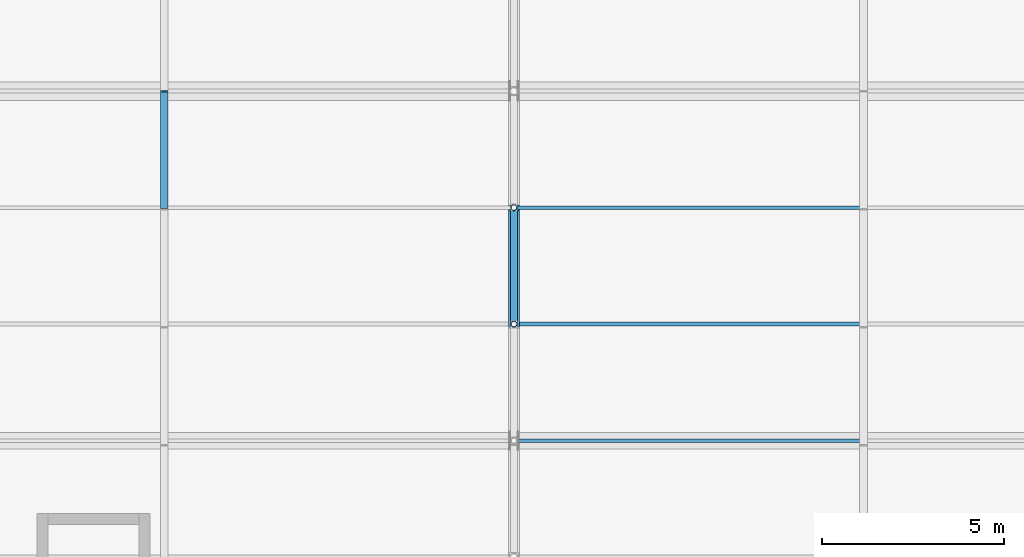
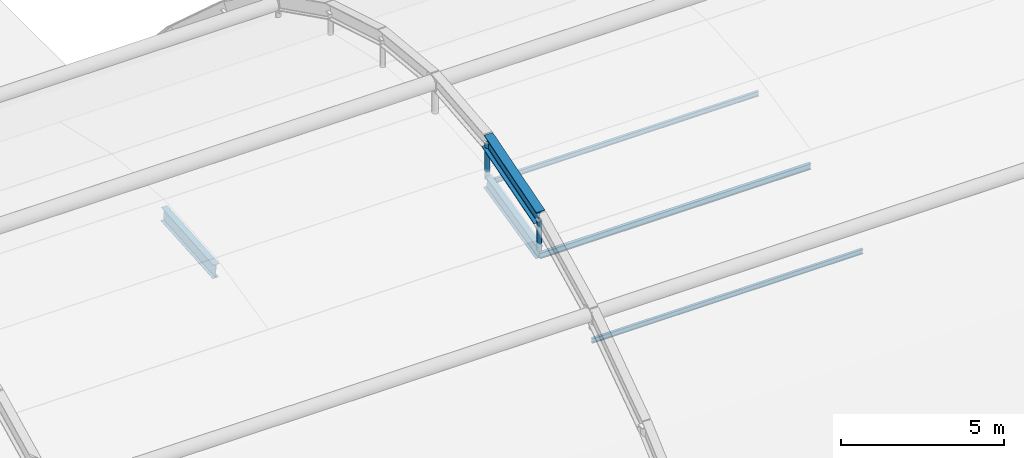
# One storey, part 61 of 126: 5 members, 3 beams.
"""IFC4 building model written with IfcOpenShell, lengths in metres."""

from ifc_helpers import new_model, si_unit, direction, frame, origin, origin_2d, place, context, subcontext, project, spatial, hollow_circle, i_section, extrude, material, material_profile, profile_set, type_object, element, save


model = new_model("IFC4")

# Units and contexts
model_context = context("Model", 3, precision=1e-05, world=origin(), true_north=direction((0.0, 1.0)))
body_context = subcontext(model_context, "Body", "Model", "MODEL_VIEW")
ifc_project = project(units=[si_unit("LENGTHUNIT", "METRE"), si_unit("AREAUNIT", "SQUARE_METRE"), si_unit("VOLUMEUNIT", "CUBIC_METRE"), si_unit("PLANEANGLEUNIT", "RADIAN"), si_unit("MASSUNIT", "GRAM", prefix="KILO")], contexts=[model_context])

# Site, building, storey
site_placement = place(None, origin())
site = spatial("IfcSite", under=ifc_project, at=site_placement, CompositionType="ELEMENT")
building_placement = place(site_placement, origin())
building = spatial("IfcBuilding", under=site, at=building_placement, Name="Coralgate Yard Interchange", CompositionType="ELEMENT")
storey_placement = place(building_placement, frame((0.0, 0.0, 10.5)))
storey = spatial("IfcBuildingStorey", under=building, at=storey_placement, Name="L02", CompositionType="ELEMENT", Elevation=10.5)

# Beams
ifc_material_1 = material(Name="Yellow-ochre weather-coated structural steel S355J2", Category="steel")
ifc_material_profile_1 = material_profile(ifc_material_1, i_section(OverallWidth=0.300048828125, OverallDepth=0.550048828125, WebThickness=0.014892578125, FlangeThickness=0.029052734375, FilletRadius=0.027099609375, at=origin_2d()), Name="HEB 550")
ifc_profile_set_1 = profile_set([ifc_material_profile_1], Name="Yellow-ochre weather-coated structural steel S355J2")
beam_type_1 = type_object("IfcBeamType", Name="BM-AR-2", PredefinedType="BEAM", material=ifc_profile_set_1)
beam_1_placement = place(storey_placement, frame((105.60009765625, 51.199951171875, 11.922119140625), z_axis=(0.0, 0.957948903279, 0.286938841403), x_axis=(-1.0, 0.0, 0.0)))
element("IfcBeam", 1, at=beam_1_placement, inside=storey, type_object=beam_type_1, Name="Yellow-ochre overarching steel arch AR-4 chord 6", PredefinedType="BEAM", context=body_context, shape_type="SweptSolid", body=[
    extrude(i_section(OverallWidth=0.300048828125, OverallDepth=0.550048828125, WebThickness=0.014892578125, FlangeThickness=0.029052734375, FilletRadius=0.027099609375, at=origin_2d()), origin(), (0.0, 0.0, 1.0), 3.34033203125),
])
ifc_material_2 = material(Name="Weather-coated structural steel S355J2", Category="steel")
ifc_material_profile_2 = material_profile(ifc_material_2, i_section(OverallWidth=0.209228515625, OverallDepth=0.533203125, WebThickness=0.010009765625, FlangeThickness=0.015625, FilletRadius=0.0126953125, at=origin_2d()), Name="UB 533x210x92")
ifc_profile_set_2 = profile_set([ifc_material_profile_2], Name="Weather-coated structural steel S355J2")
beam_type_2 = type_object("IfcBeamType", Name="BM-VR-1", PredefinedType="BEAM", material=ifc_profile_set_2)
beam_2_placement = place(storey_placement, frame((96.0, 54.39990234375, 11.31884765625), z_axis=(0.0, 0.997211212266, 0.074631080198), x_axis=(-1.0, 0.0, 0.0)))
element("IfcBeam", 2, at=beam_2_placement, inside=storey, type_object=beam_type_2, Name="Barrel-vault gridshell rib 7 seg 6", PredefinedType="BEAM", context=body_context, shape_type="SweptSolid", body=[
    extrude(i_section(OverallWidth=0.209228515625, OverallDepth=0.533203125, WebThickness=0.010009765625, FlangeThickness=0.015625, FilletRadius=0.0126953125, at=origin_2d()), origin(), (0.0, 0.0, 1.0), 3.209228515625),
])
ifc_material_profile_3 = material_profile(ifc_material_2, i_section(OverallWidth=0.199951171875, OverallDepth=0.5, WebThickness=0.01025390625, FlangeThickness=0.01611328125, FilletRadius=0.02099609375, at=origin_2d()), Name="IPE 500")
ifc_profile_set_3 = profile_set([ifc_material_profile_3], Name="Weather-coated structural steel S355J2")
beam_type_3 = type_object("IfcBeamType", Name="BM-VR-2", PredefinedType="BEAM", material=ifc_profile_set_3)
beam_3_placement = place(storey_placement, frame((105.60009765625, 51.199951171875, 10.60009765625), z_axis=(0.0, 0.974613791, 0.22389273859), x_axis=(-1.0, 0.0, 0.0)))
element("IfcBeam", 3, at=beam_3_placement, inside=storey, type_object=beam_type_3, Name="Barrel-vault gridshell rib 8 seg 5", PredefinedType="BEAM", context=body_context, shape_type="SweptSolid", body=[
    extrude(i_section(OverallWidth=0.199951171875, OverallDepth=0.5, WebThickness=0.01025390625, FlangeThickness=0.01611328125, FilletRadius=0.02099609375, at=origin_2d()), origin(), (0.0, 0.0, 1.0), 3.283203125),
])

# Members
ifc_material_profile_4 = material_profile(ifc_material_1, hollow_circle(Radius=0.084228515625, WallThickness=0.008056640625, at=origin_2d()), Name="CHS 168.3x8")
ifc_profile_set_4 = profile_set([ifc_material_profile_4], Name="Yellow-ochre weather-coated structural steel S355J2")
member_type_1 = type_object("IfcMemberType", Name="MB-HG-2", PredefinedType="STRUT", material=ifc_profile_set_4)
member_1_placement = place(storey_placement, frame((105.60009765625, 51.199951171875, 10.7001953125), z_axis=(0.0, 0.0, 1.0), x_axis=(1.0, 0.0, 0.0)))
element("IfcMember", 4, at=member_1_placement, inside=storey, type_object=member_type_1, Name="Arch AR-4 steel suspension hanger 4", PredefinedType="STRUT", context=body_context, shape_type="SweptSolid", body=[
    extrude(hollow_circle(Radius=0.084228515625, WallThickness=0.008056640625, at=origin_2d()), origin(), (0.0, 0.0, 1.0), 1.1220703125),
])
member_2_placement = place(storey_placement, frame((105.60009765625, 54.39990234375, 11.435302734375), z_axis=(0.0, 0.0, 1.0), x_axis=(1.0, 0.0, 0.0)))
element("IfcMember", 5, at=member_2_placement, inside=storey, type_object=member_type_1, Name="Arch AR-4 steel suspension hanger 5", PredefinedType="STRUT", context=body_context, shape_type="SweptSolid", body=[
    extrude(hollow_circle(Radius=0.084228515625, WallThickness=0.008056640625, at=origin_2d()), origin(), (0.0, 0.0, 1.0), 1.34521484375),
])
ifc_material_profile_5 = material_profile(ifc_material_2, i_section(OverallWidth=0.110107421875, OverallDepth=0.219970703125, WebThickness=0.005859375, FlangeThickness=0.00927734375, FilletRadius=0.011962890625, at=origin_2d()), Name="IPE 220")
ifc_profile_set_5 = profile_set([ifc_material_profile_5], Name="Weather-coated structural steel S355J2")
member_type_2 = type_object("IfcMemberType", Name="MB-PR-1", PredefinedType="PURLIN", material=ifc_profile_set_5)
member_3_placement = place(storey_placement, frame((105.60205078125, 51.199951171875, 10.489990234375), z_axis=(1.0, 0.0, 0.0), x_axis=(0.0, 1.0, 0.0)))
element("IfcMember", 6, at=member_3_placement, inside=storey, type_object=member_type_2, Name="Barrel-vault gridshell purlin 8-5", PredefinedType="PURLIN", context=body_context, shape_type="SweptSolid", body=[
    extrude(i_section(OverallWidth=0.110107421875, OverallDepth=0.219970703125, WebThickness=0.005859375, FlangeThickness=0.00927734375, FilletRadius=0.011962890625, at=origin_2d()), origin(), (0.0, 0.0, 1.0), 9.595947265625),
])
ifc_material_3 = material(Name="Off-white architectural structural steel S355J2", Category="steel")
ifc_material_profile_6 = material_profile(ifc_material_3, i_section(OverallWidth=0.091064453125, OverallDepth=0.179931640625, WebThickness=0.00537109375, FlangeThickness=0.008056640625, FilletRadius=0.009033203125, at=origin_2d()), Name="IPE 180")
ifc_profile_set_6 = profile_set([ifc_material_profile_6], Name="Off-white architectural structural steel S355J2")
member_type_3 = type_object("IfcMemberType", Name="MB-PR-2", PredefinedType="PURLIN", material=ifc_profile_set_6)
for number, where, z_axis, x_axis, name in (
    (7, (105.60205078125, 48.0, 9.242431640625), (1.0, 0.0, 0.0), (0.0, 1.0, 0.0), "Barrel-vault gridshell purlin 8-4"),
    (8, (105.60205078125, 54.39990234375, 11.265380859375), (1.0, 0.0, 0.0), (0.0, 1.0, 0.0), "Barrel-vault gridshell purlin 8-6"),
):
    element("IfcMember", number, at=place(storey_placement, frame(where, z_axis=z_axis, x_axis=x_axis)), inside=storey, type_object=member_type_3, Name=name, PredefinedType="PURLIN", context=body_context, shape_type="SweptSolid", body=[
        extrude(i_section(OverallWidth=0.091064453125, OverallDepth=0.179931640625, WebThickness=0.00537109375, FlangeThickness=0.008056640625, FilletRadius=0.009033203125, at=origin_2d()), origin(), (0.0, 0.0, 1.0), 9.595947265625),
    ])

save(model, "model.ifc")
